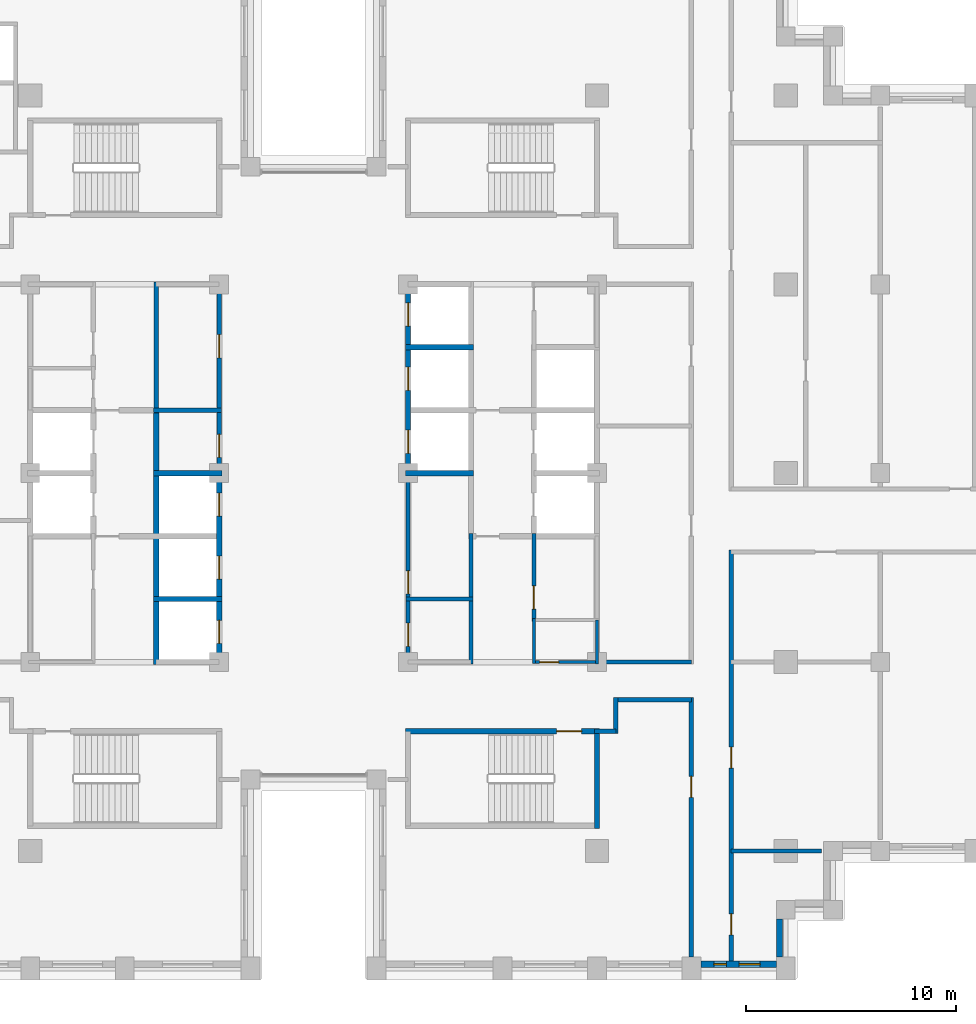
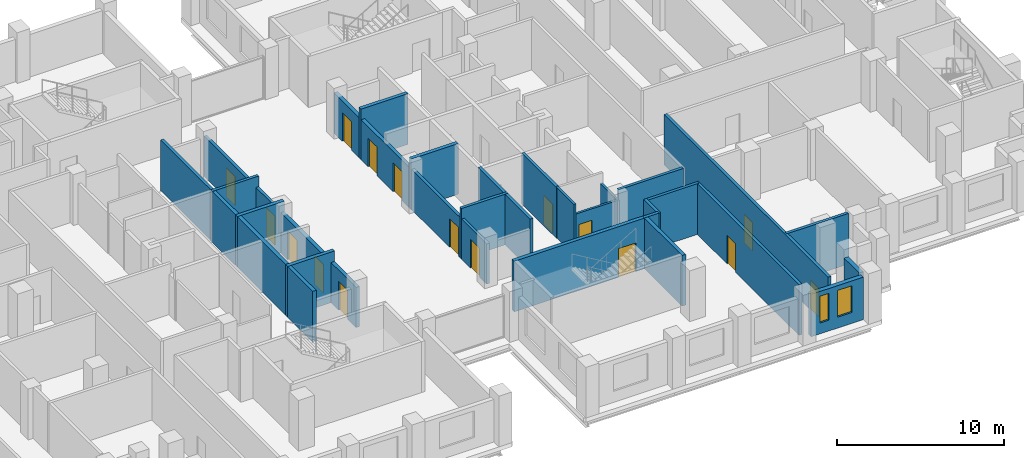
# One storey, part 8 of 16: 28 walls, 16 doors, 2 windows, 18 openings.
"""IFC4 building model written with IfcOpenShell, lengths in metres."""

from ifc_helpers import new_model, si_unit, direction, frame, frame_2d, origin, place, context, subcontext, project, spatial, rectangle, extrude, material, layer, layer_set, type_object, element, fill, save


model = new_model("IFC4")

# Units and contexts
model_context = context("Model", 3, precision=1e-05, world=origin(), true_north=direction((0.0, 1.0)))
body_context = subcontext(model_context, "Body", "Model", "MODEL_VIEW")
ifc_project = project(units=[si_unit("LENGTHUNIT", "METRE"), si_unit("AREAUNIT", "SQUARE_METRE"), si_unit("VOLUMEUNIT", "CUBIC_METRE"), si_unit("PLANEANGLEUNIT", "RADIAN"), si_unit("MASSUNIT", "GRAM", prefix="KILO")], contexts=[model_context])

# Site, building, storey
site_placement = place(None, origin())
site = spatial("IfcSite", under=ifc_project, at=site_placement, CompositionType="ELEMENT")
building_placement = place(site_placement, origin())
building = spatial("IfcBuilding", under=site, at=building_placement, Name="Corbelhall Arena Tower", CompositionType="ELEMENT")
storey_placement = place(building_placement, frame((0.0, 0.0, 158.0)))
storey = spatial("IfcBuildingStorey", under=building, at=storey_placement, Name="L31", CompositionType="ELEMENT", Elevation=158.0)

# Wall, openings, windows
ifc_material_1 = material(Name="Precast concrete C40/50 with granite facing", Category="masonry")
ifc_layer_1 = layer(ifc_material_1, 0.300048828125)
ifc_layer_set_1 = layer_set([ifc_layer_1], Name="EV-IW1 Infill panel 300")
wall_type_1 = type_object("IfcWallType", Name="EV-IW1 Infill panel 300", PredefinedType="SOLIDWALL", material=ifc_layer_set_1)
wall_1_placement = place(storey_placement, frame((18.449951171875, -23.39990234375, 0.0), z_axis=(0.0, 0.0, 1.0), x_axis=(1.0, 0.0, 0.0)))
wall_1 = element("IfcWall", 1, at=wall_1_placement, inside=storey, type_object=wall_type_1, Name="Infill panel IW1", PredefinedType="SOLIDWALL", context=body_context, shape_type="SweptSolid", body=[
    extrude(rectangle(XDim=3.60009765625, YDim=0.300048828125, at=frame_2d((1.800048828125, 0.0))), origin(), (0.0, 0.0, 1.0), 3.10009765625),
])
opening_1_placement = place(wall_1_placement, frame((0.625, 0.0, 0.800048828125)))
opening_1 = element("IfcOpeningElement", 2, at=opening_1_placement, cuts=wall_1, Name="Opening WN5", PredefinedType="OPENING", context=body_context, shape_type="SweptSolid", body=[
    extrude(rectangle(XDim=0.60009765625, YDim=1.949951171875, at=frame_2d((0.300048828125, 0.97509765625))), frame((0.0, 0.14990234375, 0.0), z_axis=(0.0, -1.0, 0.0), x_axis=(1.0, 0.0, 0.0)), (0.0, 0.0, 1.0), 0.300048828125),
])
opening_2_placement = place(wall_1_placement, frame((1.824951171875, 0.0, 0.800048828125)))
opening_2 = element("IfcOpeningElement", 3, at=opening_2_placement, cuts=wall_1, Name="Opening WN6", PredefinedType="OPENING", context=body_context, shape_type="SweptSolid", body=[
    extrude(rectangle(XDim=1.0, YDim=1.949951171875, at=frame_2d((0.5, 0.97509765625))), frame((0.0, 0.14990234375, 0.0), z_axis=(0.0, -1.0, 0.0), x_axis=(1.0, 0.0, 0.0)), (0.0, 0.0, 1.0), 0.300048828125),
])
ifc_material_2 = material(Name="Aluminium black anodised", Category="aluminium")
window_type_1 = type_object("IfcWindowType", Name="EV-WN5 Office window 600", PartitioningType="SINGLE_PANEL", PredefinedType="WINDOW", material=ifc_material_2)
window_1_placement = place(opening_1_placement, origin())
window_1 = element("IfcWindow", 4, at=window_1_placement, inside=storey, type_object=window_type_1, Name="Window WN5", OverallHeight=1.949951171875, OverallWidth=0.60009765625, PartitioningType="SINGLE_PANEL", PredefinedType="WINDOW", context=body_context, shape_type="SweptSolid", body=[
    extrude(rectangle(XDim=0.60009765625, YDim=1.949951171875, at=frame_2d((0.300048828125, 0.97509765625))), frame((0.0, 0.030029296875, 0.0), z_axis=(0.0, -1.0, 0.0), x_axis=(1.0, 0.0, 0.0)), (0.0, 0.0, 1.0), 0.06005859375),
])
fill(opening_1, window_1)
window_type_2 = type_object("IfcWindowType", Name="EV-WN6 Office window 1000", PartitioningType="SINGLE_PANEL", PredefinedType="WINDOW", material=ifc_material_2)
window_2_placement = place(opening_2_placement, origin())
window_2 = element("IfcWindow", 5, at=window_2_placement, inside=storey, type_object=window_type_2, Name="Window WN6", OverallHeight=1.949951171875, OverallWidth=1.0, PartitioningType="SINGLE_PANEL", PredefinedType="WINDOW", context=body_context, shape_type="SweptSolid", body=[
    extrude(rectangle(XDim=1.0, YDim=1.949951171875, at=frame_2d((0.5, 0.97509765625))), frame((0.0, 0.030029296875, 0.0), z_axis=(0.0, -1.0, 0.0), x_axis=(1.0, 0.0, 0.0)), (0.0, 0.0, 1.0), 0.06005859375),
])
fill(opening_2, window_2)

# Walls
wall_2_placement = place(storey_placement, frame((22.199951171875, -23.050048828125, 0.0), z_axis=(0.0, 0.0, 1.0), x_axis=(0.0, 1.0, 0.0)))
element("IfcWall", 6, at=wall_2_placement, inside=storey, type_object=wall_type_1, Name="Infill panel IW1", PredefinedType="SOLIDWALL", context=body_context, shape_type="SweptSolid", body=[
    extrude(rectangle(XDim=1.800048828125, YDim=0.300048828125, at=frame_2d((0.89990234375, 0.0))), origin(), (0.0, 0.0, 1.0), 3.10009765625),
])
ifc_material_3 = material(Name="Gypsum board on steel stud, acoustic", Category="steel")
ifc_layer_2 = layer(ifc_material_3, 0.199951171875)
ifc_layer_set_2 = layer_set([ifc_layer_2], Name="IN-W-DM200")
wall_type_2 = type_object("IfcWallType", Name="IN-W-DM200", PredefinedType="PARTITIONING", material=ifc_layer_set_2)
wall_3_placement = place(storey_placement, frame((13.5, -9.0, 0.0), z_axis=(0.0, 0.0, 1.0), x_axis=(1.0, 0.0, 0.0)))
element("IfcWall", 7, at=wall_3_placement, inside=storey, type_object=wall_type_2, Name="Partition 038", PredefinedType="PARTITIONING", context=body_context, shape_type="SweptSolid", body=[
    extrude(rectangle(XDim=4.5, YDim=0.199951171875, at=frame_2d((2.25, 0.0))), origin(), (0.0, 0.0, 1.0), 3.699951171875),
])
wall_4_placement = place(storey_placement, frame((14.39990234375, -12.300048828125, 0.0), z_axis=(0.0, 0.0, 1.0), x_axis=(-1.0, 0.0, 0.0)))
element("IfcWall", 8, at=wall_4_placement, inside=storey, type_object=wall_type_2, Name="Partition 040", PredefinedType="PARTITIONING", context=body_context, shape_type="SweptSolid", body=[
    extrude(rectangle(XDim=1.02490234375, YDim=0.199951171875, at=frame_2d((0.512451171875, 0.0))), origin(), (0.0, 0.0, 1.0), 3.699951171875),
])
wall_5_placement = place(storey_placement, frame((14.39990234375, -10.699951171875, 0.0), z_axis=(0.0, 0.0, 1.0), x_axis=(0.0, -1.0, 0.0)))
element("IfcWall", 9, at=wall_5_placement, inside=storey, type_object=wall_type_2, Name="Partition 041", PredefinedType="PARTITIONING", context=body_context, shape_type="SweptSolid", body=[
    extrude(rectangle(XDim=1.699951171875, YDim=0.199951171875, at=frame_2d((0.85009765625, 0.0))), origin(), (0.0, 0.0, 1.0), 3.699951171875),
])

# Wall, opening, door
wall_6_placement = place(storey_placement, frame((18.0, -23.050048828125, 0.0), z_axis=(0.0, 0.0, 1.0), x_axis=(0.0, 1.0, 0.0)))
wall_6 = element("IfcWall", 10, at=wall_6_placement, inside=storey, type_object=wall_type_2, Name="Partition 045", PredefinedType="PARTITIONING", context=body_context, shape_type="SweptSolid", body=[
    extrude(rectangle(XDim=12.35009765625, YDim=0.199951171875, at=frame_2d((6.175048828125, 0.0))), origin(), (0.0, 0.0, 1.0), 3.699951171875),
])
opening_3_placement = place(wall_6_placement, frame((7.60009765625, 0.0, 0.0)))
opening_3 = element("IfcOpeningElement", 11, at=opening_3_placement, cuts=wall_6, Name="Opening 08030", PredefinedType="OPENING", context=body_context, shape_type="SweptSolid", body=[
    extrude(rectangle(XDim=1.0, YDim=2.10009765625, at=frame_2d((0.5, 1.050048828125))), frame((0.0, 0.10009765625, 0.0), z_axis=(0.0, -1.0, 0.0), x_axis=(1.0, 0.0, 0.0)), (0.0, 0.0, 1.0), 0.199951171875),
])
ifc_material_4 = material(Name="Steel door set", Category="steel")
door_type_1 = type_object("IfcDoorType", Name="IN-D-SW100", OperationType="NOTDEFINED", PredefinedType="DOOR", material=ifc_material_4)
door_1_placement = place(opening_3_placement, origin())
door_1 = element("IfcDoor", 12, at=door_1_placement, inside=storey, type_object=door_type_1, Name="Door 030", OperationType="SINGLE_SWING_LEFT", OverallHeight=2.10009765625, OverallWidth=1.0, PredefinedType="DOOR", context=body_context, shape_type="SweptSolid", body=[
    extrude(rectangle(XDim=1.0, YDim=2.10009765625, at=frame_2d((0.5, 1.050048828125))), frame((0.0, 0.02490234375, 0.0), z_axis=(0.0, -1.0, 0.0), x_axis=(1.0, 0.0, 0.0)), (0.0, 0.0, 1.0), 0.050048828125),
])
fill(opening_3, door_1)

# Walls
wall_7_placement = place(storey_placement, frame((18.0, -10.800048828125, 0.0), z_axis=(0.0, 0.0, 1.0), x_axis=(-1.0, 0.0, 0.0)))
element("IfcWall", 13, at=wall_7_placement, inside=storey, type_object=wall_type_2, Name="Partition 046", PredefinedType="PARTITIONING", context=body_context, shape_type="SweptSolid", body=[
    extrude(rectangle(XDim=3.60009765625, YDim=0.199951171875, at=frame_2d((1.800048828125, 0.0))), origin(), (0.0, 0.0, 1.0), 3.699951171875),
])
wall_8_placement = place(storey_placement, frame((19.89990234375, -18.0, 0.0), z_axis=(0.0, 0.0, 1.0), x_axis=(1.0, 0.0, 0.0)))
element("IfcWall", 14, at=wall_8_placement, inside=storey, type_object=wall_type_2, Name="Partition 049", PredefinedType="PARTITIONING", context=body_context, shape_type="SweptSolid", body=[
    extrude(rectangle(XDim=4.300048828125, YDim=0.199951171875, at=frame_2d((2.14990234375, 0.0))), origin(), (0.0, 0.0, 1.0), 3.699951171875),
])

# Wall, openings, doors
wall_9_placement = place(storey_placement, frame((19.89990234375, -3.64990234375, 0.0), z_axis=(0.0, 0.0, 1.0), x_axis=(0.0, -1.0, 0.0)))
wall_9 = element("IfcWall", 15, at=wall_9_placement, inside=storey, type_object=wall_type_2, Name="Partition 050", PredefinedType="PARTITIONING", context=body_context, shape_type="SweptSolid", body=[
    extrude(rectangle(XDim=19.60009765625, YDim=0.199951171875, at=frame_2d((9.800048828125, 0.0))), origin(), (0.0, 0.0, 1.0), 3.699951171875),
])
opening_4_placement = place(wall_9_placement, frame((17.35009765625, 0.0, 0.0)))
opening_4 = element("IfcOpeningElement", 16, at=opening_4_placement, cuts=wall_9, Name="Opening 08039", PredefinedType="OPENING", context=body_context, shape_type="SweptSolid", body=[
    extrude(rectangle(XDim=1.0, YDim=2.10009765625, at=frame_2d((0.5, 1.050048828125))), frame((0.0, 0.10009765625, 0.0), z_axis=(0.0, -1.0, 0.0), x_axis=(1.0, 0.0, 0.0)), (0.0, 0.0, 1.0), 0.199951171875),
])
opening_5_placement = place(wall_9_placement, frame((9.39990234375, 0.0, 0.0)))
opening_5 = element("IfcOpeningElement", 17, at=opening_5_placement, cuts=wall_9, Name="Opening 08040", PredefinedType="OPENING", context=body_context, shape_type="SweptSolid", body=[
    extrude(rectangle(XDim=1.0, YDim=2.10009765625, at=frame_2d((0.5, 1.050048828125))), frame((0.0, 0.10009765625, 0.0), z_axis=(0.0, -1.0, 0.0), x_axis=(1.0, 0.0, 0.0)), (0.0, 0.0, 1.0), 0.199951171875),
])
door_2_placement = place(opening_4_placement, origin())
door_2 = element("IfcDoor", 18, at=door_2_placement, inside=storey, type_object=door_type_1, Name="Door 039", OperationType="SINGLE_SWING_RIGHT", OverallHeight=2.10009765625, OverallWidth=1.0, PredefinedType="DOOR", context=body_context, shape_type="SweptSolid", body=[
    extrude(rectangle(XDim=1.0, YDim=2.10009765625, at=frame_2d((0.5, 1.050048828125))), frame((0.0, 0.02490234375, 0.0), z_axis=(0.0, -1.0, 0.0), x_axis=(1.0, 0.0, 0.0)), (0.0, 0.0, 1.0), 0.050048828125),
])
fill(opening_4, door_2)
door_3_placement = place(opening_5_placement, origin())
door_3 = element("IfcDoor", 19, at=door_3_placement, inside=storey, type_object=door_type_1, Name="Door 040", OperationType="SINGLE_SWING_LEFT", OverallHeight=2.10009765625, OverallWidth=1.0, PredefinedType="DOOR", context=body_context, shape_type="SweptSolid", body=[
    extrude(rectangle(XDim=1.0, YDim=2.10009765625, at=frame_2d((0.5, 1.050048828125))), frame((0.0, 0.02490234375, 0.0), z_axis=(0.0, -1.0, 0.0), x_axis=(1.0, 0.0, 0.0)), (0.0, 0.0, 1.0), 0.050048828125),
])
fill(opening_5, door_3)

# Walls
ifc_material_5 = material(Name="Concrete block wall", Category="concrete")
ifc_layer_3 = layer(ifc_material_5, 0.199951171875)
ifc_layer_set_3 = layer_set([ifc_layer_3], Name="IN-W-RS200")
wall_type_3 = type_object("IfcWallType", Name="IN-W-RS200", PredefinedType="SOLIDWALL", material=ifc_layer_set_3)
wall_10_placement = place(storey_placement, frame((-7.625, 3.0, 0.0), z_axis=(0.0, 0.0, 1.0), x_axis=(1.0, 0.0, 0.0)))
element("IfcWall", 20, at=wall_10_placement, inside=storey, type_object=wall_type_3, Name="Partition 067", PredefinedType="SOLIDWALL", context=body_context, shape_type="SweptSolid", body=[
    extrude(rectangle(XDim=3.22509765625, YDim=0.199951171875, at=frame_2d((1.612548828125, 0.0))), origin(), (0.0, 0.0, 1.0), 3.699951171875),
])
wall_11_placement = place(storey_placement, frame((-7.5, 2.875, 0.0), z_axis=(0.0, 0.0, 1.0), x_axis=(0.0, 1.0, 0.0)))
element("IfcWall", 21, at=wall_11_placement, inside=storey, type_object=wall_type_3, Name="Partition 068", PredefinedType="SOLIDWALL", context=body_context, shape_type="SweptSolid", body=[
    extrude(rectangle(XDim=6.22509765625, YDim=0.199951171875, at=frame_2d((3.112548828125, 0.0))), origin(), (0.0, 0.0, 1.0), 3.699951171875),
])
wall_12_placement = place(storey_placement, frame((4.39990234375, -6.0, 0.0), z_axis=(0.0, 0.0, 1.0), x_axis=(1.0, 0.0, 0.0)))
element("IfcWall", 22, at=wall_12_placement, inside=storey, type_object=wall_type_3, Name="Partition 071", PredefinedType="SOLIDWALL", context=body_context, shape_type="SweptSolid", body=[
    extrude(rectangle(XDim=3.2001953125, YDim=0.199951171875, at=frame_2d((1.60009765625, 0.0))), origin(), (0.0, 0.0, 1.0), 3.699951171875),
])
wall_13_placement = place(storey_placement, frame((7.5, -2.875, 0.0), z_axis=(0.0, 0.0, 1.0), x_axis=(0.0, -1.0, 0.0)))
element("IfcWall", 23, at=wall_13_placement, inside=storey, type_object=wall_type_3, Name="Partition 074", PredefinedType="SOLIDWALL", context=body_context, shape_type="SweptSolid", body=[
    extrude(rectangle(XDim=6.22509765625, YDim=0.199951171875, at=frame_2d((3.112548828125, 0.0))), origin(), (0.0, 0.0, 1.0), 3.699951171875),
])

# Wall, opening, door
wall_14_placement = place(storey_placement, frame((10.5, -2.875, 0.0), z_axis=(0.0, 0.0, 1.0), x_axis=(0.0, -1.0, 0.0)))
wall_14 = element("IfcWall", 24, at=wall_14_placement, inside=storey, type_object=wall_type_3, Name="Partition 075", PredefinedType="SOLIDWALL", context=body_context, shape_type="SweptSolid", body=[
    extrude(rectangle(XDim=4.199951171875, YDim=0.199951171875, at=frame_2d((2.10009765625, 0.0))), origin(), (0.0, 0.0, 1.0), 3.699951171875),
])
opening_6_placement = place(wall_14_placement, frame((2.5, 0.0, 0.0)))
opening_6 = element("IfcOpeningElement", 25, at=opening_6_placement, cuts=wall_14, Name="Opening 08013", PredefinedType="OPENING", context=body_context, shape_type="SweptSolid", body=[
    extrude(rectangle(XDim=1.10009765625, YDim=2.10009765625, at=frame_2d((0.550048828125, 1.050048828125))), frame((0.0, 0.10009765625, 0.0), z_axis=(0.0, -1.0, 0.0), x_axis=(1.0, 0.0, 0.0)), (0.0, 0.0, 1.0), 0.199951171875),
])
door_type_2 = type_object("IfcDoorType", Name="IN-D-FD110", OperationType="NOTDEFINED", PredefinedType="DOOR", material=ifc_material_4)
door_4_placement = place(opening_6_placement, origin())
door_4 = element("IfcDoor", 26, at=door_4_placement, inside=storey, type_object=door_type_2, Name="Door 013", OperationType="SINGLE_SWING_RIGHT", OverallHeight=2.10009765625, OverallWidth=1.10009765625, PredefinedType="DOOR", context=body_context, shape_type="SweptSolid", body=[
    extrude(rectangle(XDim=1.10009765625, YDim=2.10009765625, at=frame_2d((0.550048828125, 1.050048828125))), frame((0.0, 0.02490234375, 0.0), z_axis=(0.0, -1.0, 0.0), x_axis=(1.0, 0.0, 0.0)), (0.0, 0.0, 1.0), 0.050048828125),
])
fill(opening_6, door_4)

# Wall, openings, doors
ifc_layer_4 = layer(ifc_material_5, 0.199951171875)
ifc_layer_set_4 = layer_set([ifc_layer_4], Name="IN-W-RS200 under beam 762 mm")
wall_type_4 = type_object("IfcWallType", Name="IN-W-RS200 under beam 762 mm", PredefinedType="SOLIDWALL", material=ifc_layer_set_4)
wall_15_placement = place(storey_placement, frame((-4.5, 9.10009765625, 0.0), z_axis=(0.0, 0.0, 1.0), x_axis=(0.0, -1.0, 0.0)))
wall_15 = element("IfcWall", 27, at=wall_15_placement, inside=storey, type_object=wall_type_4, Name="Partition 070", PredefinedType="SOLIDWALL", context=body_context, shape_type="SweptSolid", body=[
    extrude(rectangle(XDim=9.10009765625, YDim=0.199951171875, at=frame_2d((4.550048828125, 0.0))), origin(), (0.0, 0.0, 1.0), 2.93798828125),
])
opening_7_placement = place(wall_15_placement, frame((7.25, 0.0, 0.0)))
opening_7 = element("IfcOpeningElement", 28, at=opening_7_placement, cuts=wall_15, Name="Opening 08001", PredefinedType="OPENING", context=body_context, shape_type="SweptSolid", body=[
    extrude(rectangle(XDim=1.10009765625, YDim=2.10009765625, at=frame_2d((0.550048828125, 1.050048828125))), frame((0.0, 0.10009765625, 0.0), z_axis=(0.0, -1.0, 0.0), x_axis=(1.0, 0.0, 0.0)), (0.0, 0.0, 1.0), 0.199951171875),
])
opening_8_placement = place(wall_15_placement, frame((2.5, 0.0, 0.0)))
opening_8 = element("IfcOpeningElement", 29, at=opening_8_placement, cuts=wall_15, Name="Opening 08002", PredefinedType="OPENING", context=body_context, shape_type="SweptSolid", body=[
    extrude(rectangle(XDim=1.10009765625, YDim=2.10009765625, at=frame_2d((0.550048828125, 1.050048828125))), frame((0.0, 0.10009765625, 0.0), z_axis=(0.0, -1.0, 0.0), x_axis=(1.0, 0.0, 0.0)), (0.0, 0.0, 1.0), 0.199951171875),
])
door_5_placement = place(opening_7_placement, origin())
door_5 = element("IfcDoor", 30, at=door_5_placement, inside=storey, type_object=door_type_2, Name="Door 001", OperationType="SINGLE_SWING_RIGHT", OverallHeight=2.10009765625, OverallWidth=1.10009765625, PredefinedType="DOOR", context=body_context, shape_type="SweptSolid", body=[
    extrude(rectangle(XDim=1.10009765625, YDim=2.10009765625, at=frame_2d((0.550048828125, 1.050048828125))), frame((0.0, 0.02490234375, 0.0), z_axis=(0.0, -1.0, 0.0), x_axis=(1.0, 0.0, 0.0)), (0.0, 0.0, 1.0), 0.050048828125),
])
fill(opening_7, door_5)
door_6_placement = place(opening_8_placement, origin())
door_6 = element("IfcDoor", 31, at=door_6_placement, inside=storey, type_object=door_type_2, Name="Door 002", OperationType="SINGLE_SWING_LEFT", OverallHeight=2.10009765625, OverallWidth=1.10009765625, PredefinedType="DOOR", context=body_context, shape_type="SweptSolid", body=[
    extrude(rectangle(XDim=1.10009765625, YDim=2.10009765625, at=frame_2d((0.550048828125, 1.050048828125))), frame((0.0, 0.02490234375, 0.0), z_axis=(0.0, -1.0, 0.0), x_axis=(1.0, 0.0, 0.0)), (0.0, 0.0, 1.0), 0.050048828125),
])
fill(opening_8, door_6)

wall_16_placement = place(storey_placement, frame((4.5, -9.10009765625, 0.0), z_axis=(0.0, 0.0, 1.0), x_axis=(0.0, 1.0, 0.0)))
wall_16 = element("IfcWall", 32, at=wall_16_placement, inside=storey, type_object=wall_type_4, Name="Partition 072", PredefinedType="SOLIDWALL", context=body_context, shape_type="SweptSolid", body=[
    extrude(rectangle(XDim=9.10009765625, YDim=0.199951171875, at=frame_2d((4.550048828125, 0.0))), origin(), (0.0, 0.0, 1.0), 2.93798828125),
])
opening_9_placement = place(wall_16_placement, frame((0.85009765625, 0.0, 0.0)))
opening_9 = element("IfcOpeningElement", 33, at=opening_9_placement, cuts=wall_16, Name="Opening 08008", PredefinedType="OPENING", context=body_context, shape_type="SweptSolid", body=[
    extrude(rectangle(XDim=1.10009765625, YDim=2.10009765625, at=frame_2d((0.550048828125, 1.050048828125))), frame((0.0, 0.10009765625, 0.0), z_axis=(0.0, -1.0, 0.0), x_axis=(1.0, 0.0, 0.0)), (0.0, 0.0, 1.0), 0.199951171875),
])
opening_10_placement = place(wall_16_placement, frame((3.35009765625, 0.0, 0.0)))
opening_10 = element("IfcOpeningElement", 34, at=opening_10_placement, cuts=wall_16, Name="Opening 08009", PredefinedType="OPENING", context=body_context, shape_type="SweptSolid", body=[
    extrude(rectangle(XDim=1.10009765625, YDim=2.10009765625, at=frame_2d((0.550048828125, 1.050048828125))), frame((0.0, 0.10009765625, 0.0), z_axis=(0.0, -1.0, 0.0), x_axis=(1.0, 0.0, 0.0)), (0.0, 0.0, 1.0), 0.199951171875),
])
door_7_placement = place(opening_9_placement, origin())
door_7 = element("IfcDoor", 35, at=door_7_placement, inside=storey, type_object=door_type_2, Name="Door 008", OperationType="SINGLE_SWING_LEFT", OverallHeight=2.10009765625, OverallWidth=1.10009765625, PredefinedType="DOOR", context=body_context, shape_type="SweptSolid", body=[
    extrude(rectangle(XDim=1.10009765625, YDim=2.10009765625, at=frame_2d((0.550048828125, 1.050048828125))), frame((0.0, 0.02490234375, 0.0), z_axis=(0.0, -1.0, 0.0), x_axis=(1.0, 0.0, 0.0)), (0.0, 0.0, 1.0), 0.050048828125),
])
fill(opening_9, door_7)
door_8_placement = place(opening_10_placement, origin())
door_8 = element("IfcDoor", 36, at=door_8_placement, inside=storey, type_object=door_type_2, Name="Door 009", OperationType="SINGLE_SWING_RIGHT", OverallHeight=2.10009765625, OverallWidth=1.10009765625, PredefinedType="DOOR", context=body_context, shape_type="SweptSolid", body=[
    extrude(rectangle(XDim=1.10009765625, YDim=2.10009765625, at=frame_2d((0.550048828125, 1.050048828125))), frame((0.0, 0.02490234375, 0.0), z_axis=(0.0, -1.0, 0.0), x_axis=(1.0, 0.0, 0.0)), (0.0, 0.0, 1.0), 0.050048828125),
])
fill(opening_10, door_8)

# Walls
ifc_material_6 = material(Name="Concrete C40/50", Category="concrete")
ifc_layer_5 = layer(ifc_material_6, 0.25)
ifc_layer_set_5 = layer_set([ifc_layer_5], Name="IN-W-SH250")
wall_type_5 = type_object("IfcWallType", Name="IN-W-SH250", PredefinedType="SOLIDWALL", material=ifc_layer_set_5)
for number, where, z_axis, x_axis, name in (
    (37, (-7.625, -6.0, 0.0), (0.0, 0.0, 1.0), (1.0, 0.0, 0.0), "Shaft wall 085"),
    (38, (-7.625, 0.0, 0.0), (0.0, 0.0, 1.0), (1.0, 0.0, 0.0), "Shaft wall 086"),
):
    element("IfcWall", number, at=place(storey_placement, frame(where, z_axis=z_axis, x_axis=x_axis)), inside=storey, type_object=wall_type_5, Name=name, PredefinedType="SOLIDWALL", context=body_context, shape_type="SweptSolid", body=[
        extrude(rectangle(XDim=3.25, YDim=0.25, at=frame_2d((1.625, 0.0))), origin(), (0.0, 0.0, 1.0), 3.699951171875),
    ])
wall_17_placement = place(storey_placement, frame((-7.5, -9.125, 0.0), z_axis=(0.0, 0.0, 1.0), x_axis=(0.0, 1.0, 0.0)))
element("IfcWall", 39, at=wall_17_placement, inside=storey, type_object=wall_type_5, Name="Shaft wall 087", PredefinedType="SOLIDWALL", context=body_context, shape_type="SweptSolid", body=[
    extrude(rectangle(XDim=12.25, YDim=0.25, at=frame_2d((6.125, 0.0))), origin(), (0.0, 0.0, 1.0), 3.699951171875),
])
for number, where, z_axis, x_axis, name in (
    (40, (4.375, 0.0, 0.0), (0.0, 0.0, 1.0), (1.0, 0.0, 0.0), "Shaft wall 090"),
    (41, (4.375, 6.0, 0.0), (0.0, 0.0, 1.0), (1.0, 0.0, 0.0), "Shaft wall 092"),
):
    element("IfcWall", number, at=place(storey_placement, frame(where, z_axis=z_axis, x_axis=x_axis)), inside=storey, type_object=wall_type_5, Name=name, PredefinedType="SOLIDWALL", context=body_context, shape_type="SweptSolid", body=[
        extrude(rectangle(XDim=3.25, YDim=0.25, at=frame_2d((1.625, 0.0))), origin(), (0.0, 0.0, 1.0), 3.699951171875),
    ])

# Wall, openings, doors
ifc_layer_6 = layer(ifc_material_6, 0.25)
ifc_layer_set_6 = layer_set([ifc_layer_6], Name="IN-W-SH250 under beam 762 mm")
wall_type_6 = type_object("IfcWallType", Name="IN-W-SH250 under beam 762 mm", PredefinedType="SOLIDWALL", material=ifc_layer_set_6)
wall_18_placement = place(storey_placement, frame((-4.5, 0.0, 0.0), z_axis=(0.0, 0.0, 1.0), x_axis=(0.0, -1.0, 0.0)))
wall_18 = element("IfcWall", 42, at=wall_18_placement, inside=storey, type_object=wall_type_6, Name="Shaft wall 089", PredefinedType="SOLIDWALL", context=body_context, shape_type="SweptSolid", body=[
    extrude(rectangle(XDim=9.125, YDim=0.25, at=frame_2d((4.5625, 0.0))), origin(), (0.0, 0.0, 1.0), 2.93798828125),
])
opening_11_placement = place(wall_18_placement, frame((7.012451171875, 0.0, 0.0)))
opening_11 = element("IfcOpeningElement", 43, at=opening_11_placement, cuts=wall_18, Name="Opening LD", PredefinedType="OPENING", context=body_context, shape_type="SweptSolid", body=[
    extrude(rectangle(XDim=1.10009765625, YDim=2.10009765625, at=frame_2d((0.550048828125, 1.050048828125))), frame((0.0, 0.125, 0.0), z_axis=(0.0, -1.0, 0.0), x_axis=(1.0, 0.0, 0.0)), (0.0, 0.0, 1.0), 0.25),
])
opening_12_placement = place(wall_18_placement, frame((3.949951171875, 0.0, 0.0)))
opening_12 = element("IfcOpeningElement", 44, at=opening_12_placement, cuts=wall_18, Name="Opening LD", PredefinedType="OPENING", context=body_context, shape_type="SweptSolid", body=[
    extrude(rectangle(XDim=1.10009765625, YDim=2.10009765625, at=frame_2d((0.550048828125, 1.050048828125))), frame((0.0, 0.125, 0.0), z_axis=(0.0, -1.0, 0.0), x_axis=(1.0, 0.0, 0.0)), (0.0, 0.0, 1.0), 0.25),
])
opening_13_placement = place(wall_18_placement, frame((0.949951171875, 0.0, 0.0)))
opening_13 = element("IfcOpeningElement", 45, at=opening_13_placement, cuts=wall_18, Name="Opening LD", PredefinedType="OPENING", context=body_context, shape_type="SweptSolid", body=[
    extrude(rectangle(XDim=1.10009765625, YDim=2.10009765625, at=frame_2d((0.550048828125, 1.050048828125))), frame((0.0, 0.125, 0.0), z_axis=(0.0, -1.0, 0.0), x_axis=(1.0, 0.0, 0.0)), (0.0, 0.0, 1.0), 0.25),
])
door_type_3 = type_object("IfcDoorType", Name="IN-D-LD110", OperationType="NOTDEFINED", PredefinedType="DOOR", material=ifc_material_4)
door_9_placement = place(opening_11_placement, origin())
door_9 = element("IfcDoor", 46, at=door_9_placement, inside=storey, type_object=door_type_3, Name="Landing door W1", OperationType="SLIDING_TO_LEFT", OverallHeight=2.10009765625, OverallWidth=1.10009765625, PredefinedType="DOOR", context=body_context, shape_type="SweptSolid", body=[
    extrude(rectangle(XDim=1.10009765625, YDim=2.10009765625, at=frame_2d((0.550048828125, 1.050048828125))), frame((0.0, 0.02490234375, 0.0), z_axis=(0.0, -1.0, 0.0), x_axis=(1.0, 0.0, 0.0)), (0.0, 0.0, 1.0), 0.050048828125),
])
fill(opening_11, door_9)
door_10_placement = place(opening_12_placement, origin())
door_10 = element("IfcDoor", 47, at=door_10_placement, inside=storey, type_object=door_type_3, Name="Landing door W2", OperationType="SLIDING_TO_LEFT", OverallHeight=2.10009765625, OverallWidth=1.10009765625, PredefinedType="DOOR", context=body_context, shape_type="SweptSolid", body=[
    extrude(rectangle(XDim=1.10009765625, YDim=2.10009765625, at=frame_2d((0.550048828125, 1.050048828125))), frame((0.0, 0.02490234375, 0.0), z_axis=(0.0, -1.0, 0.0), x_axis=(1.0, 0.0, 0.0)), (0.0, 0.0, 1.0), 0.050048828125),
])
fill(opening_12, door_10)
door_11_placement = place(opening_13_placement, origin())
door_11 = element("IfcDoor", 48, at=door_11_placement, inside=storey, type_object=door_type_3, Name="Landing door W3", OperationType="SLIDING_TO_LEFT", OverallHeight=2.10009765625, OverallWidth=1.10009765625, PredefinedType="DOOR", context=body_context, shape_type="SweptSolid", body=[
    extrude(rectangle(XDim=1.10009765625, YDim=2.10009765625, at=frame_2d((0.550048828125, 1.050048828125))), frame((0.0, 0.02490234375, 0.0), z_axis=(0.0, -1.0, 0.0), x_axis=(1.0, 0.0, 0.0)), (0.0, 0.0, 1.0), 0.050048828125),
])
fill(opening_13, door_11)

wall_19_placement = place(storey_placement, frame((4.5, 0.0, 0.0), z_axis=(0.0, 0.0, 1.0), x_axis=(0.0, 1.0, 0.0)))
wall_19 = element("IfcWall", 49, at=wall_19_placement, inside=storey, type_object=wall_type_6, Name="Shaft wall 093", PredefinedType="SOLIDWALL", context=body_context, shape_type="SweptSolid", body=[
    extrude(rectangle(XDim=9.125, YDim=0.25, at=frame_2d((4.5625, 0.0))), origin(), (0.0, 0.0, 1.0), 2.93798828125),
])
opening_14_placement = place(wall_19_placement, frame((0.949951171875, 0.0, 0.0)))
opening_14 = element("IfcOpeningElement", 50, at=opening_14_placement, cuts=wall_19, Name="Opening LD", PredefinedType="OPENING", context=body_context, shape_type="SweptSolid", body=[
    extrude(rectangle(XDim=1.10009765625, YDim=2.10009765625, at=frame_2d((0.550048828125, 1.050048828125))), frame((0.0, 0.125, 0.0), z_axis=(0.0, -1.0, 0.0), x_axis=(1.0, 0.0, 0.0)), (0.0, 0.0, 1.0), 0.25),
])
opening_15_placement = place(wall_19_placement, frame((3.949951171875, 0.0, 0.0)))
opening_15 = element("IfcOpeningElement", 51, at=opening_15_placement, cuts=wall_19, Name="Opening LD", PredefinedType="OPENING", context=body_context, shape_type="SweptSolid", body=[
    extrude(rectangle(XDim=1.10009765625, YDim=2.10009765625, at=frame_2d((0.550048828125, 1.050048828125))), frame((0.0, 0.125, 0.0), z_axis=(0.0, -1.0, 0.0), x_axis=(1.0, 0.0, 0.0)), (0.0, 0.0, 1.0), 0.25),
])
opening_16_placement = place(wall_19_placement, frame((7.012451171875, 0.0, 0.0)))
opening_16 = element("IfcOpeningElement", 52, at=opening_16_placement, cuts=wall_19, Name="Opening LD", PredefinedType="OPENING", context=body_context, shape_type="SweptSolid", body=[
    extrude(rectangle(XDim=1.10009765625, YDim=2.10009765625, at=frame_2d((0.550048828125, 1.050048828125))), frame((0.0, 0.125, 0.0), z_axis=(0.0, -1.0, 0.0), x_axis=(1.0, 0.0, 0.0)), (0.0, 0.0, 1.0), 0.25),
])
door_12_placement = place(opening_14_placement, origin())
door_12 = element("IfcDoor", 53, at=door_12_placement, inside=storey, type_object=door_type_3, Name="Landing door E4", OperationType="SLIDING_TO_LEFT", OverallHeight=2.10009765625, OverallWidth=1.10009765625, PredefinedType="DOOR", context=body_context, shape_type="SweptSolid", body=[
    extrude(rectangle(XDim=1.10009765625, YDim=2.10009765625, at=frame_2d((0.550048828125, 1.050048828125))), frame((0.0, 0.02490234375, 0.0), z_axis=(0.0, -1.0, 0.0), x_axis=(1.0, 0.0, 0.0)), (0.0, 0.0, 1.0), 0.050048828125),
])
fill(opening_14, door_12)
door_13_placement = place(opening_15_placement, origin())
door_13 = element("IfcDoor", 54, at=door_13_placement, inside=storey, type_object=door_type_3, Name="Landing door E5", OperationType="SLIDING_TO_LEFT", OverallHeight=2.10009765625, OverallWidth=1.10009765625, PredefinedType="DOOR", context=body_context, shape_type="SweptSolid", body=[
    extrude(rectangle(XDim=1.10009765625, YDim=2.10009765625, at=frame_2d((0.550048828125, 1.050048828125))), frame((0.0, 0.02490234375, 0.0), z_axis=(0.0, -1.0, 0.0), x_axis=(1.0, 0.0, 0.0)), (0.0, 0.0, 1.0), 0.050048828125),
])
fill(opening_15, door_13)
door_14_placement = place(opening_16_placement, origin())
door_14 = element("IfcDoor", 55, at=door_14_placement, inside=storey, type_object=door_type_3, Name="Landing door E6", OperationType="SLIDING_TO_LEFT", OverallHeight=2.10009765625, OverallWidth=1.10009765625, PredefinedType="DOOR", context=body_context, shape_type="SweptSolid", body=[
    extrude(rectangle(XDim=1.10009765625, YDim=2.10009765625, at=frame_2d((0.550048828125, 1.050048828125))), frame((0.0, 0.02490234375, 0.0), z_axis=(0.0, -1.0, 0.0), x_axis=(1.0, 0.0, 0.0)), (0.0, 0.0, 1.0), 0.050048828125),
])
fill(opening_16, door_14)

# Wall
ifc_layer_7 = layer(ifc_material_6, 0.25)
ifc_layer_set_7 = layer_set([ifc_layer_7], Name="IN-W-ST250")
wall_type_7 = type_object("IfcWallType", Name="IN-W-ST250", PredefinedType="SOLIDWALL", material=ifc_layer_set_7)
wall_20_placement = place(storey_placement, frame((13.5, -12.300048828125, 0.0), z_axis=(0.0, 0.0, 1.0), x_axis=(0.0, -1.0, 0.0)))
element("IfcWall", 56, at=wall_20_placement, inside=storey, type_object=wall_type_7, Name="Shaft wall 120", PredefinedType="SOLIDWALL", context=body_context, shape_type="SweptSolid", body=[
    extrude(rectangle(XDim=4.625, YDim=0.25, at=frame_2d((2.3125, 0.0))), origin(), (0.0, 0.0, 1.0), 3.699951171875),
])

# Wall, opening, door
wall_21_placement = place(storey_placement, frame((13.625, -12.300048828125, 0.0), z_axis=(0.0, 0.0, 1.0), x_axis=(-1.0, 0.0, 0.0)))
wall_21 = element("IfcWall", 57, at=wall_21_placement, inside=storey, type_object=wall_type_7, Name="Shaft wall 122", PredefinedType="SOLIDWALL", context=body_context, shape_type="SweptSolid", body=[
    extrude(rectangle(XDim=9.25, YDim=0.25, at=frame_2d((4.625, 0.0))), origin(), (0.0, 0.0, 1.0), 3.699951171875),
])
opening_17_placement = place(wall_21_placement, frame((0.85009765625, 0.0, 0.0)))
opening_17 = element("IfcOpeningElement", 58, at=opening_17_placement, cuts=wall_21, Name="Opening 08018", PredefinedType="OPENING", context=body_context, shape_type="SweptSolid", body=[
    extrude(rectangle(XDim=1.199951171875, YDim=2.10009765625, at=frame_2d((0.60009765625, 1.050048828125))), frame((0.0, 0.125, 0.0), z_axis=(0.0, -1.0, 0.0), x_axis=(1.0, 0.0, 0.0)), (0.0, 0.0, 1.0), 0.25),
])
door_type_4 = type_object("IfcDoorType", Name="IN-D-ST120", OperationType="NOTDEFINED", PredefinedType="DOOR", material=ifc_material_4)
door_15_placement = place(opening_17_placement, origin())
door_15 = element("IfcDoor", 59, at=door_15_placement, inside=storey, type_object=door_type_4, Name="Door 018", OperationType="SINGLE_SWING_LEFT", OverallHeight=2.10009765625, OverallWidth=1.199951171875, PredefinedType="DOOR", context=body_context, shape_type="SweptSolid", body=[
    extrude(rectangle(XDim=1.199951171875, YDim=2.10009765625, at=frame_2d((0.60009765625, 1.050048828125))), frame((0.0, 0.02490234375, 0.0), z_axis=(0.0, -1.0, 0.0), x_axis=(1.0, 0.0, 0.0)), (0.0, 0.0, 1.0), 0.050048828125),
])
fill(opening_17, door_15)

# Walls
ifc_material_7 = material(Name="Gypsum board on steel stud, moisture resistant", Category="steel")
ifc_layer_8 = layer(ifc_material_7, 0.14990234375)
ifc_layer_set_8 = layer_set([ifc_layer_8], Name="IN-W-WC150")
wall_type_8 = type_object("IfcWallType", Name="IN-W-WC150", PredefinedType="PARTITIONING", material=ifc_layer_set_8)
wall_22_placement = place(storey_placement, frame((10.5, -6.925048828125, 0.0), z_axis=(0.0, 0.0, 1.0), x_axis=(0.0, -1.0, 0.0)))
element("IfcWall", 60, at=wall_22_placement, inside=storey, type_object=wall_type_8, Name="Partition 136", PredefinedType="PARTITIONING", context=body_context, shape_type="SweptSolid", body=[
    extrude(rectangle(XDim=2.14990234375, YDim=0.14990234375, at=frame_2d((1.074951171875, 0.0))), origin(), (0.0, 0.0, 1.0), 3.699951171875),
])
ifc_layer_9 = layer(ifc_material_7, 0.14990234375)
ifc_layer_set_9 = layer_set([ifc_layer_9], Name="IN-W-WC150 under beam 762 mm")
wall_type_9 = type_object("IfcWallType", Name="IN-W-WC150 under beam 762 mm", PredefinedType="PARTITIONING", material=ifc_layer_set_9)
wall_23_placement = place(storey_placement, frame((13.5, -7.0, 0.0), z_axis=(0.0, 0.0, 1.0), x_axis=(0.0, -1.0, 0.0)))
element("IfcWall", 61, at=wall_23_placement, inside=storey, type_object=wall_type_9, Name="Partition 137", PredefinedType="PARTITIONING", context=body_context, shape_type="SweptSolid", body=[
    extrude(rectangle(XDim=2.10009765625, YDim=0.14990234375, at=frame_2d((1.050048828125, 0.0))), origin(), (0.0, 0.0, 1.0), 2.93798828125),
])

# Wall, opening, door
wall_24_placement = place(storey_placement, frame((13.574951171875, -9.0, 0.0), z_axis=(0.0, 0.0, 1.0), x_axis=(-1.0, 0.0, 0.0)))
wall_24 = element("IfcWall", 62, at=wall_24_placement, inside=storey, type_object=wall_type_9, Name="Partition 138", PredefinedType="PARTITIONING", context=body_context, shape_type="SweptSolid", body=[
    extrude(rectangle(XDim=3.074951171875, YDim=0.14990234375, at=frame_2d((1.53759765625, 0.0))), origin(), (0.0, 0.0, 1.0), 2.93798828125),
])
opening_18_placement = place(wall_24_placement, frame((1.89990234375, 0.0, 0.0)))
opening_18 = element("IfcOpeningElement", 63, at=opening_18_placement, cuts=wall_24, Name="Opening 08012", PredefinedType="OPENING", context=body_context, shape_type="SweptSolid", body=[
    extrude(rectangle(XDim=0.89990234375, YDim=2.10009765625, at=frame_2d((0.449951171875, 1.050048828125))), frame((0.0, 0.074951171875, 0.0), z_axis=(0.0, -1.0, 0.0), x_axis=(1.0, 0.0, 0.0)), (0.0, 0.0, 1.0), 0.14990234375),
])
ifc_material_8 = material(Name="Timber door set", Category="wood")
door_type_5 = type_object("IfcDoorType", Name="IN-D-SW90", OperationType="NOTDEFINED", PredefinedType="DOOR", material=ifc_material_8)
door_16_placement = place(opening_18_placement, origin())
door_16 = element("IfcDoor", 64, at=door_16_placement, inside=storey, type_object=door_type_5, Name="Door 012", OperationType="SINGLE_SWING_LEFT", OverallHeight=2.10009765625, OverallWidth=0.89990234375, PredefinedType="DOOR", context=body_context, shape_type="SweptSolid", body=[
    extrude(rectangle(XDim=0.89990234375, YDim=2.10009765625, at=frame_2d((0.449951171875, 1.050048828125))), frame((0.0, 0.02490234375, 0.0), z_axis=(0.0, -1.0, 0.0), x_axis=(1.0, 0.0, 0.0)), (0.0, 0.0, 1.0), 0.050048828125),
])
fill(opening_18, door_16)

save(model, "model.ifc")
